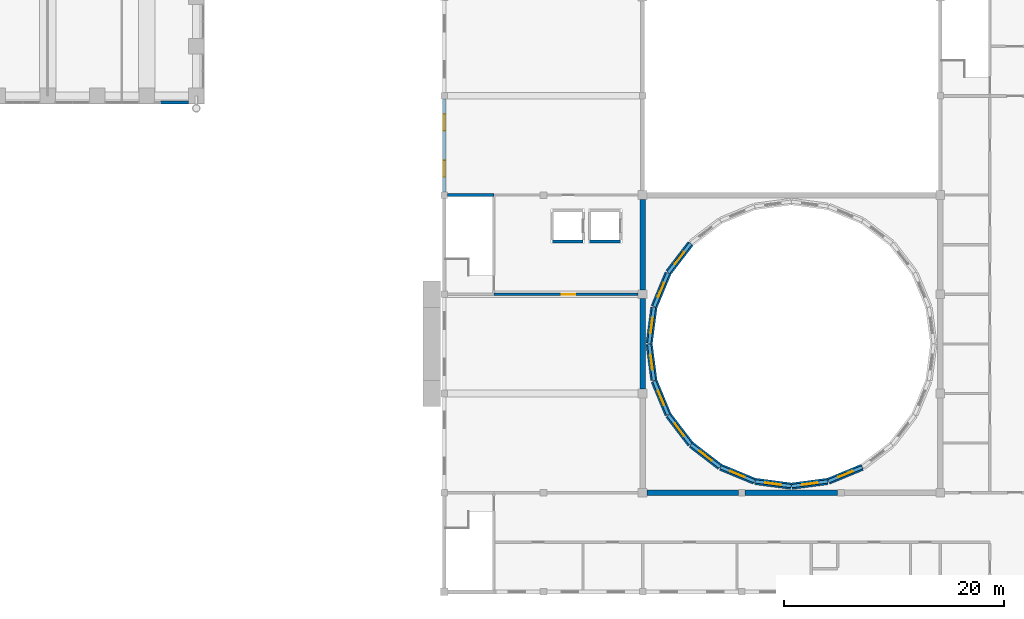
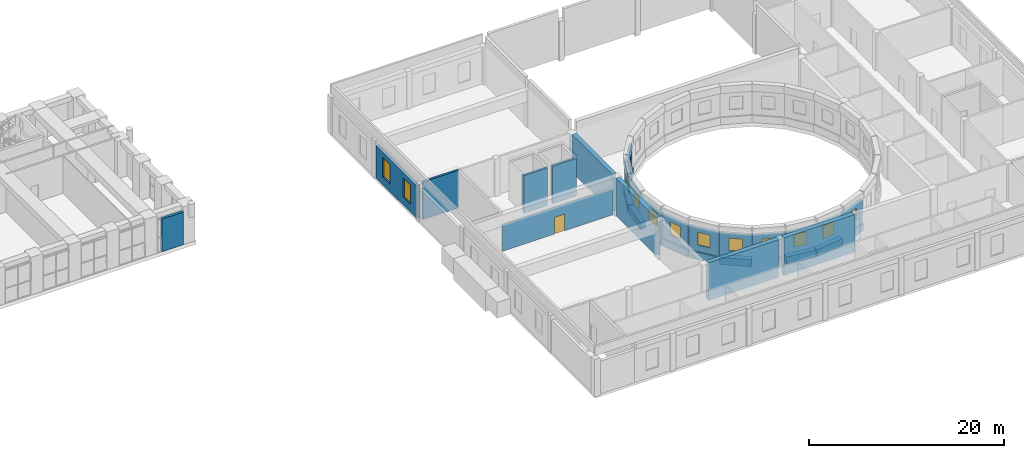
# One storey, part 22 of 35: 32 walls, 13 windows, 1 door, 14 openings.
"""IFC4 building model written with IfcOpenShell, lengths in metres."""

from ifc_helpers import new_model, si_unit, direction, frame, frame_2d, origin, place, context, subcontext, project, spatial, rectangle, extrude, material, layer, layer_set, type_object, element, fill, save


model = new_model("IFC4")

# Units and contexts
model_context = context("Model", 3, precision=1e-05, world=origin(), true_north=direction((0.0, 1.0)))
body_context = subcontext(model_context, "Body", "Model", "MODEL_VIEW")
ifc_project = project(units=[si_unit("LENGTHUNIT", "METRE"), si_unit("AREAUNIT", "SQUARE_METRE"), si_unit("VOLUMEUNIT", "CUBIC_METRE"), si_unit("PLANEANGLEUNIT", "RADIAN"), si_unit("MASSUNIT", "GRAM", prefix="KILO")], contexts=[model_context])

# Site, building, storey
site_placement = place(None, origin())
site = spatial("IfcSite", under=ifc_project, at=site_placement, CompositionType="ELEMENT")
building_placement = place(site_placement, origin())
building = spatial("IfcBuilding", under=site, at=building_placement, Name="Firuza Court", CompositionType="ELEMENT")
storey_placement = place(building_placement, frame((0.0, 0.0, 24.0)))
storey = spatial("IfcBuildingStorey", under=building, at=storey_placement, Name="L04", CompositionType="ELEMENT", Elevation=24.0)

# Wall, opening, window
ifc_material_1 = material(Name="Concrete C40/50", Category="concrete")
ifc_layer_1 = layer(ifc_material_1, 0.300048828125)
ifc_layer_set_1 = layer_set([ifc_layer_1], Name="Concrete C40/50")
wall_type_1 = type_object("IfcWallType", Name="HALL DRUM WALL 300", PredefinedType="STANDARD", material=ifc_layer_set_1)
wall_1_placement = place(storey_placement, frame((112.35888671875, 22.61328125, 1.39990234375), z_axis=(0.0, 0.0, 1.0), x_axis=(-0.608771579488, -0.793345551451, 0.0)))
wall_1 = element("IfcWall", 1, at=wall_1_placement, inside=storey, type_object=wall_type_1, Name="Drum wall 10", PredefinedType="STANDARD", context=body_context, shape_type="SweptSolid", body=[
    extrude(rectangle(XDim=3.33056640625, YDim=0.300048828125, at=frame_2d((1.665283203125, 0.0))), origin(), (0.0, 0.0, 1.0), 3.0),
])
opening_1_placement = place(wall_1_placement, frame((0.96533203125, 0.0, 0.800048828125)))
opening_1 = element("IfcOpeningElement", 2, at=opening_1_placement, cuts=wall_1, Name="Opening HW-4", PredefinedType="OPENING", context=body_context, shape_type="SweptSolid", body=[
    extrude(rectangle(XDim=1.39990234375, YDim=1.60009765625, at=frame_2d((0.699951171875, 0.800048828125))), frame((0.0, 0.162109375, 0.0), z_axis=(0.0, -1.0, 0.0), x_axis=(1.0, 0.0, 0.0)), (0.0, 0.0, 1.0), 0.323974609375),
])
ifc_material_2 = material(Name="Aluminium", Category="aluminium")
window_type_1 = type_object("IfcWindowType", Name="HALL WINDOW 1400X1600", PartitioningType="SINGLE_PANEL", PredefinedType="WINDOW", material=ifc_material_2)
window_1_placement = place(opening_1_placement, origin())
window_1 = element("IfcWindow", 3, at=window_1_placement, inside=storey, type_object=window_type_1, Name="Drum clerestory window 10", OverallHeight=1.60009765625, OverallWidth=1.39990234375, PartitioningType="SINGLE_PANEL", PredefinedType="WINDOW", context=body_context, shape_type="SweptSolid", body=[
    extrude(rectangle(XDim=1.39990234375, YDim=1.60009765625, at=frame_2d((0.699951171875, 0.800048828125))), frame((0.0, 0.030029296875, 0.0), z_axis=(0.0, -1.0, 0.0), x_axis=(1.0, 0.0, 0.0)), (0.0, 0.0, 1.0), 0.06005859375),
])
fill(opening_1, window_1)

wall_2_placement = place(storey_placement, frame((110.311767578125, 19.93701171875, 1.39990234375), z_axis=(0.0, 0.0, 1.0), x_axis=(-0.382673300321, -0.923883729276, 0.0)))
wall_2 = element("IfcWall", 4, at=wall_2_placement, inside=storey, type_object=wall_type_1, Name="Drum wall 11", PredefinedType="STANDARD", context=body_context, shape_type="SweptSolid", body=[
    extrude(rectangle(XDim=3.330810546875, YDim=0.300048828125, at=frame_2d((1.66552734375, 0.0))), origin(), (0.0, 0.0, 1.0), 3.0),
])
opening_2_placement = place(wall_2_placement, frame((0.96533203125, 0.0, 0.800048828125)))
opening_2 = element("IfcOpeningElement", 5, at=opening_2_placement, cuts=wall_2, Name="Opening HW-4", PredefinedType="OPENING", context=body_context, shape_type="SweptSolid", body=[
    extrude(rectangle(XDim=1.39990234375, YDim=1.60009765625, at=frame_2d((0.699951171875, 0.800048828125))), frame((0.0, 0.162109375, 0.0), z_axis=(0.0, -1.0, 0.0), x_axis=(1.0, 0.0, 0.0)), (0.0, 0.0, 1.0), 0.323974609375),
])
window_2_placement = place(opening_2_placement, origin())
window_2 = element("IfcWindow", 6, at=window_2_placement, inside=storey, type_object=window_type_1, Name="Drum clerestory window 11", OverallHeight=1.60009765625, OverallWidth=1.39990234375, PartitioningType="SINGLE_PANEL", PredefinedType="WINDOW", context=body_context, shape_type="SweptSolid", body=[
    extrude(rectangle(XDim=1.39990234375, YDim=1.60009765625, at=frame_2d((0.699951171875, 0.800048828125))), frame((0.0, 0.030029296875, 0.0), z_axis=(0.0, -1.0, 0.0), x_axis=(1.0, 0.0, 0.0)), (0.0, 0.0, 1.0), 0.06005859375),
])
fill(opening_2, window_2)

wall_3_placement = place(storey_placement, frame((109.02685546875, 16.82177734375, 1.39990234375), z_axis=(0.0, 0.0, 1.0), x_axis=(-0.130545524535, -0.991442316035, 0.0)))
wall_3 = element("IfcWall", 7, at=wall_3_placement, inside=storey, type_object=wall_type_1, Name="Drum wall 12", PredefinedType="STANDARD", context=body_context, shape_type="SweptSolid", body=[
    extrude(rectangle(XDim=3.330810546875, YDim=0.300048828125, at=frame_2d((1.66552734375, 0.0))), origin(), (0.0, 0.0, 1.0), 3.0),
])
opening_3_placement = place(wall_3_placement, frame((0.96533203125, 0.0, 0.800048828125)))
opening_3 = element("IfcOpeningElement", 8, at=opening_3_placement, cuts=wall_3, Name="Opening HW-4", PredefinedType="OPENING", context=body_context, shape_type="SweptSolid", body=[
    extrude(rectangle(XDim=1.39990234375, YDim=1.60009765625, at=frame_2d((0.699951171875, 0.800048828125))), frame((0.0, 0.162109375, 0.0), z_axis=(0.0, -1.0, 0.0), x_axis=(1.0, 0.0, 0.0)), (0.0, 0.0, 1.0), 0.323974609375),
])
window_3_placement = place(opening_3_placement, origin())
window_3 = element("IfcWindow", 9, at=window_3_placement, inside=storey, type_object=window_type_1, Name="Drum clerestory window 12", OverallHeight=1.60009765625, OverallWidth=1.39990234375, PartitioningType="SINGLE_PANEL", PredefinedType="WINDOW", context=body_context, shape_type="SweptSolid", body=[
    extrude(rectangle(XDim=1.39990234375, YDim=1.60009765625, at=frame_2d((0.699951171875, 0.800048828125))), frame((0.0, 0.030029296875, 0.0), z_axis=(0.0, -1.0, 0.0), x_axis=(1.0, 0.0, 0.0)), (0.0, 0.0, 1.0), 0.06005859375),
])
fill(opening_3, window_3)

wall_4_placement = place(storey_placement, frame((108.592041015625, 13.48046875, 1.39990234375), z_axis=(0.0, 0.0, 1.0), x_axis=(0.130545524535, -0.991442316035, 0.0)))
wall_4 = element("IfcWall", 10, at=wall_4_placement, inside=storey, type_object=wall_type_1, Name="Drum wall 13", PredefinedType="STANDARD", context=body_context, shape_type="SweptSolid", body=[
    extrude(rectangle(XDim=3.330810546875, YDim=0.300048828125, at=frame_2d((1.66552734375, 0.0))), origin(), (0.0, 0.0, 1.0), 3.0),
])
opening_4_placement = place(wall_4_placement, frame((0.96533203125, 0.0, 0.800048828125)))
opening_4 = element("IfcOpeningElement", 11, at=opening_4_placement, cuts=wall_4, Name="Opening HW-4", PredefinedType="OPENING", context=body_context, shape_type="SweptSolid", body=[
    extrude(rectangle(XDim=1.39990234375, YDim=1.60009765625, at=frame_2d((0.699951171875, 0.800048828125))), frame((0.0, 0.162109375, 0.0), z_axis=(0.0, -1.0, 0.0), x_axis=(1.0, 0.0, 0.0)), (0.0, 0.0, 1.0), 0.323974609375),
])
window_4_placement = place(opening_4_placement, origin())
window_4 = element("IfcWindow", 12, at=window_4_placement, inside=storey, type_object=window_type_1, Name="Drum clerestory window 13", OverallHeight=1.60009765625, OverallWidth=1.39990234375, PartitioningType="SINGLE_PANEL", PredefinedType="WINDOW", context=body_context, shape_type="SweptSolid", body=[
    extrude(rectangle(XDim=1.39990234375, YDim=1.60009765625, at=frame_2d((0.699951171875, 0.800048828125))), frame((0.0, 0.030029296875, 0.0), z_axis=(0.0, -1.0, 0.0), x_axis=(1.0, 0.0, 0.0)), (0.0, 0.0, 1.0), 0.06005859375),
])
fill(opening_4, window_4)

wall_5_placement = place(storey_placement, frame((109.037109375, 10.140380859375, 1.39990234375), z_axis=(0.0, 0.0, 1.0), x_axis=(0.382673300321, -0.923883729276, 0.0)))
wall_5 = element("IfcWall", 13, at=wall_5_placement, inside=storey, type_object=wall_type_1, Name="Drum wall 14", PredefinedType="STANDARD", context=body_context, shape_type="SweptSolid", body=[
    extrude(rectangle(XDim=3.330810546875, YDim=0.300048828125, at=frame_2d((1.66552734375, 0.0))), origin(), (0.0, 0.0, 1.0), 3.0),
])
opening_5_placement = place(wall_5_placement, frame((0.96533203125, 0.0, 0.800048828125)))
opening_5 = element("IfcOpeningElement", 14, at=opening_5_placement, cuts=wall_5, Name="Opening HW-4", PredefinedType="OPENING", context=body_context, shape_type="SweptSolid", body=[
    extrude(rectangle(XDim=1.39990234375, YDim=1.60009765625, at=frame_2d((0.699951171875, 0.800048828125))), frame((0.0, 0.162109375, 0.0), z_axis=(0.0, -1.0, 0.0), x_axis=(1.0, 0.0, 0.0)), (0.0, 0.0, 1.0), 0.323974609375),
])
window_5_placement = place(opening_5_placement, origin())
window_5 = element("IfcWindow", 15, at=window_5_placement, inside=storey, type_object=window_type_1, Name="Drum clerestory window 14", OverallHeight=1.60009765625, OverallWidth=1.39990234375, PartitioningType="SINGLE_PANEL", PredefinedType="WINDOW", context=body_context, shape_type="SweptSolid", body=[
    extrude(rectangle(XDim=1.39990234375, YDim=1.60009765625, at=frame_2d((0.699951171875, 0.800048828125))), frame((0.0, 0.030029296875, 0.0), z_axis=(0.0, -1.0, 0.0), x_axis=(1.0, 0.0, 0.0)), (0.0, 0.0, 1.0), 0.06005859375),
])
fill(opening_5, window_5)

wall_6_placement = place(storey_placement, frame((110.331298828125, 7.029052734375, 1.39990234375), z_axis=(0.0, 0.0, 1.0), x_axis=(0.608771579488, -0.793345551451, 0.0)))
wall_6 = element("IfcWall", 16, at=wall_6_placement, inside=storey, type_object=wall_type_1, Name="Drum wall 15", PredefinedType="STANDARD", context=body_context, shape_type="SweptSolid", body=[
    extrude(rectangle(XDim=3.33056640625, YDim=0.300048828125, at=frame_2d((1.665283203125, 0.0))), origin(), (0.0, 0.0, 1.0), 3.0),
])
opening_6_placement = place(wall_6_placement, frame((0.96533203125, 0.0, 0.800048828125)))
opening_6 = element("IfcOpeningElement", 17, at=opening_6_placement, cuts=wall_6, Name="Opening HW-4", PredefinedType="OPENING", context=body_context, shape_type="SweptSolid", body=[
    extrude(rectangle(XDim=1.39990234375, YDim=1.60009765625, at=frame_2d((0.699951171875, 0.800048828125))), frame((0.0, 0.162109375, 0.0), z_axis=(0.0, -1.0, 0.0), x_axis=(1.0, 0.0, 0.0)), (0.0, 0.0, 1.0), 0.323974609375),
])
window_6_placement = place(opening_6_placement, origin())
window_6 = element("IfcWindow", 18, at=window_6_placement, inside=storey, type_object=window_type_1, Name="Drum clerestory window 15", OverallHeight=1.60009765625, OverallWidth=1.39990234375, PartitioningType="SINGLE_PANEL", PredefinedType="WINDOW", context=body_context, shape_type="SweptSolid", body=[
    extrude(rectangle(XDim=1.39990234375, YDim=1.60009765625, at=frame_2d((0.699951171875, 0.800048828125))), frame((0.0, 0.030029296875, 0.0), z_axis=(0.0, -1.0, 0.0), x_axis=(1.0, 0.0, 0.0)), (0.0, 0.0, 1.0), 0.06005859375),
])
fill(opening_6, window_6)

wall_7_placement = place(storey_placement, frame((112.38671875, 4.35888671875, 1.39990234375), z_axis=(0.0, 0.0, 1.0), x_axis=(0.793345551451, -0.608771579488, 0.0)))
wall_7 = element("IfcWall", 19, at=wall_7_placement, inside=storey, type_object=wall_type_1, Name="Drum wall 16", PredefinedType="STANDARD", context=body_context, shape_type="SweptSolid", body=[
    extrude(rectangle(XDim=3.33056640625, YDim=0.300048828125, at=frame_2d((1.665283203125, 0.0))), origin(), (0.0, 0.0, 1.0), 3.0),
])
opening_7_placement = place(wall_7_placement, frame((0.96533203125, 0.0, 0.800048828125)))
opening_7 = element("IfcOpeningElement", 20, at=opening_7_placement, cuts=wall_7, Name="Opening HW-4", PredefinedType="OPENING", context=body_context, shape_type="SweptSolid", body=[
    extrude(rectangle(XDim=1.39990234375, YDim=1.60009765625, at=frame_2d((0.699951171875, 0.800048828125))), frame((0.0, 0.162109375, 0.0), z_axis=(0.0, -1.0, 0.0), x_axis=(1.0, 0.0, 0.0)), (0.0, 0.0, 1.0), 0.323974609375),
])
window_7_placement = place(opening_7_placement, origin())
window_7 = element("IfcWindow", 21, at=window_7_placement, inside=storey, type_object=window_type_1, Name="Drum clerestory window 16", OverallHeight=1.60009765625, OverallWidth=1.39990234375, PartitioningType="SINGLE_PANEL", PredefinedType="WINDOW", context=body_context, shape_type="SweptSolid", body=[
    extrude(rectangle(XDim=1.39990234375, YDim=1.60009765625, at=frame_2d((0.699951171875, 0.800048828125))), frame((0.0, 0.030029296875, 0.0), z_axis=(0.0, -1.0, 0.0), x_axis=(1.0, 0.0, 0.0)), (0.0, 0.0, 1.0), 0.06005859375),
])
fill(opening_7, window_7)

wall_8_placement = place(storey_placement, frame((115.06298828125, 2.311767578125, 1.39990234375), z_axis=(0.0, 0.0, 1.0), x_axis=(0.923883729276, -0.382673300321, 0.0)))
wall_8 = element("IfcWall", 22, at=wall_8_placement, inside=storey, type_object=wall_type_1, Name="Drum wall 17", PredefinedType="STANDARD", context=body_context, shape_type="SweptSolid", body=[
    extrude(rectangle(XDim=3.330810546875, YDim=0.300048828125, at=frame_2d((1.66552734375, 0.0))), origin(), (0.0, 0.0, 1.0), 3.0),
])
opening_8_placement = place(wall_8_placement, frame((0.96533203125, 0.0, 0.800048828125)))
opening_8 = element("IfcOpeningElement", 23, at=opening_8_placement, cuts=wall_8, Name="Opening HW-4", PredefinedType="OPENING", context=body_context, shape_type="SweptSolid", body=[
    extrude(rectangle(XDim=1.39990234375, YDim=1.60009765625, at=frame_2d((0.699951171875, 0.800048828125))), frame((0.0, 0.162109375, 0.0), z_axis=(0.0, -1.0, 0.0), x_axis=(1.0, 0.0, 0.0)), (0.0, 0.0, 1.0), 0.323974609375),
])
window_8_placement = place(opening_8_placement, origin())
window_8 = element("IfcWindow", 24, at=window_8_placement, inside=storey, type_object=window_type_1, Name="Drum clerestory window 17", OverallHeight=1.60009765625, OverallWidth=1.39990234375, PartitioningType="SINGLE_PANEL", PredefinedType="WINDOW", context=body_context, shape_type="SweptSolid", body=[
    extrude(rectangle(XDim=1.39990234375, YDim=1.60009765625, at=frame_2d((0.699951171875, 0.800048828125))), frame((0.0, 0.030029296875, 0.0), z_axis=(0.0, -1.0, 0.0), x_axis=(1.0, 0.0, 0.0)), (0.0, 0.0, 1.0), 0.06005859375),
])
fill(opening_8, window_8)

wall_9_placement = place(storey_placement, frame((118.17822265625, 1.02685546875, 1.39990234375), z_axis=(0.0, 0.0, 1.0), x_axis=(0.991442316035, -0.130545524535, 0.0)))
wall_9 = element("IfcWall", 25, at=wall_9_placement, inside=storey, type_object=wall_type_1, Name="Drum wall 18", PredefinedType="STANDARD", context=body_context, shape_type="SweptSolid", body=[
    extrude(rectangle(XDim=3.330810546875, YDim=0.300048828125, at=frame_2d((1.66552734375, 0.0))), origin(), (0.0, 0.0, 1.0), 3.0),
])
opening_9_placement = place(wall_9_placement, frame((0.96533203125, 0.0, 0.800048828125)))
opening_9 = element("IfcOpeningElement", 26, at=opening_9_placement, cuts=wall_9, Name="Opening HW-4", PredefinedType="OPENING", context=body_context, shape_type="SweptSolid", body=[
    extrude(rectangle(XDim=1.39990234375, YDim=1.60009765625, at=frame_2d((0.699951171875, 0.800048828125))), frame((0.0, 0.162109375, 0.0), z_axis=(0.0, -1.0, 0.0), x_axis=(1.0, 0.0, 0.0)), (0.0, 0.0, 1.0), 0.323974609375),
])
window_9_placement = place(opening_9_placement, origin())
window_9 = element("IfcWindow", 27, at=window_9_placement, inside=storey, type_object=window_type_1, Name="Drum clerestory window 18", OverallHeight=1.60009765625, OverallWidth=1.39990234375, PartitioningType="SINGLE_PANEL", PredefinedType="WINDOW", context=body_context, shape_type="SweptSolid", body=[
    extrude(rectangle(XDim=1.39990234375, YDim=1.60009765625, at=frame_2d((0.699951171875, 0.800048828125))), frame((0.0, 0.030029296875, 0.0), z_axis=(0.0, -1.0, 0.0), x_axis=(1.0, 0.0, 0.0)), (0.0, 0.0, 1.0), 0.06005859375),
])
fill(opening_9, window_9)

wall_10_placement = place(storey_placement, frame((121.51953125, 0.592041015625, 1.39990234375), z_axis=(0.0, 0.0, 1.0), x_axis=(0.991442316035, 0.130545524535, 0.0)))
wall_10 = element("IfcWall", 28, at=wall_10_placement, inside=storey, type_object=wall_type_1, Name="Drum wall 19", PredefinedType="STANDARD", context=body_context, shape_type="SweptSolid", body=[
    extrude(rectangle(XDim=3.330810546875, YDim=0.300048828125, at=frame_2d((1.66552734375, 0.0))), origin(), (0.0, 0.0, 1.0), 3.0),
])
opening_10_placement = place(wall_10_placement, frame((0.96533203125, 0.0, 0.800048828125)))
opening_10 = element("IfcOpeningElement", 29, at=opening_10_placement, cuts=wall_10, Name="Opening HW-4", PredefinedType="OPENING", context=body_context, shape_type="SweptSolid", body=[
    extrude(rectangle(XDim=1.39990234375, YDim=1.60009765625, at=frame_2d((0.699951171875, 0.800048828125))), frame((0.0, 0.162109375, 0.0), z_axis=(0.0, -1.0, 0.0), x_axis=(1.0, 0.0, 0.0)), (0.0, 0.0, 1.0), 0.323974609375),
])
window_10_placement = place(opening_10_placement, origin())
window_10 = element("IfcWindow", 30, at=window_10_placement, inside=storey, type_object=window_type_1, Name="Drum clerestory window 19", OverallHeight=1.60009765625, OverallWidth=1.39990234375, PartitioningType="SINGLE_PANEL", PredefinedType="WINDOW", context=body_context, shape_type="SweptSolid", body=[
    extrude(rectangle(XDim=1.39990234375, YDim=1.60009765625, at=frame_2d((0.699951171875, 0.800048828125))), frame((0.0, 0.030029296875, 0.0), z_axis=(0.0, -1.0, 0.0), x_axis=(1.0, 0.0, 0.0)), (0.0, 0.0, 1.0), 0.06005859375),
])
fill(opening_10, window_10)

wall_11_placement = place(storey_placement, frame((124.859619140625, 1.037109375, 1.39990234375), z_axis=(0.0, 0.0, 1.0), x_axis=(0.923883729276, 0.382673300321, 0.0)))
wall_11 = element("IfcWall", 31, at=wall_11_placement, inside=storey, type_object=wall_type_1, Name="Drum wall 20", PredefinedType="STANDARD", context=body_context, shape_type="SweptSolid", body=[
    extrude(rectangle(XDim=3.330810546875, YDim=0.300048828125, at=frame_2d((1.66552734375, 0.0))), origin(), (0.0, 0.0, 1.0), 3.0),
])
opening_11_placement = place(wall_11_placement, frame((0.96533203125, 0.0, 0.800048828125)))
opening_11 = element("IfcOpeningElement", 32, at=opening_11_placement, cuts=wall_11, Name="Opening HW-4", PredefinedType="OPENING", context=body_context, shape_type="SweptSolid", body=[
    extrude(rectangle(XDim=1.39990234375, YDim=1.60009765625, at=frame_2d((0.699951171875, 0.800048828125))), frame((0.0, 0.162109375, 0.0), z_axis=(0.0, -1.0, 0.0), x_axis=(1.0, 0.0, 0.0)), (0.0, 0.0, 1.0), 0.323974609375),
])
window_11_placement = place(opening_11_placement, origin())
window_11 = element("IfcWindow", 33, at=window_11_placement, inside=storey, type_object=window_type_1, Name="Drum clerestory window 20", OverallHeight=1.60009765625, OverallWidth=1.39990234375, PartitioningType="SINGLE_PANEL", PredefinedType="WINDOW", context=body_context, shape_type="SweptSolid", body=[
    extrude(rectangle(XDim=1.39990234375, YDim=1.60009765625, at=frame_2d((0.699951171875, 0.800048828125))), frame((0.0, 0.030029296875, 0.0), z_axis=(0.0, -1.0, 0.0), x_axis=(1.0, 0.0, 0.0)), (0.0, 0.0, 1.0), 0.06005859375),
])
fill(opening_11, window_11)

# Wall, opening, door
ifc_material_3 = material(Name="Blockwork", Category="masonry")
ifc_layer_2 = layer(ifc_material_3, 0.199951171875)
ifc_layer_set_2 = layer_set([ifc_layer_2], Name="Blockwork")
wall_type_2 = type_object("IfcWallType", Name="HALL PARTITION 200", PredefinedType="STANDARD", material=ifc_layer_set_2)
wall_12_placement = place(storey_placement, frame((94.5, 18.0, 0.0), z_axis=(0.0, 0.0, 1.0), x_axis=(1.0, 0.0, 0.0)))
wall_12 = element("IfcWall", 34, at=wall_12_placement, inside=storey, type_object=wall_type_2, Name="Wall L04.28", PredefinedType="STANDARD", context=body_context, shape_type="SweptSolid", body=[
    extrude(rectangle(XDim=13.10009765625, YDim=0.199951171875, at=frame_2d((6.550048828125, 0.0))), origin(), (0.0, 0.0, 1.0), 3.300048828125),
])
opening_12_placement = place(wall_12_placement, frame((6.169921875, 0.0, 0.0)))
opening_12 = element("IfcOpeningElement", 35, at=opening_12_placement, cuts=wall_12, Name="Opening H154", PredefinedType="OPENING", context=body_context, shape_type="SweptSolid", body=[
    extrude(rectangle(XDim=1.199951171875, YDim=2.10009765625, at=frame_2d((0.60009765625, 1.050048828125))), frame((0.0, 0.11181640625, 0.0), z_axis=(0.0, -1.0, 0.0), x_axis=(1.0, 0.0, 0.0)), (0.0, 0.0, 1.0), 0.223876953125),
])
ifc_material_4 = material(Name="Timber", Category="wood")
door_type = type_object("IfcDoorType", Name="HALL DOOR 1200X2100", OperationType="SINGLE_SWING_LEFT", PredefinedType="DOOR", material=ifc_material_4)
door_placement = place(opening_12_placement, frame((1.199951171875, 0.0, 0.0), z_axis=(0.0, 0.0, 1.0), x_axis=(-1.0, 0.0, 0.0)))
door = element("IfcDoor", 36, at=door_placement, inside=storey, type_object=door_type, Name="Door Administration offices to Office corridor", OperationType="SINGLE_SWING_LEFT", OverallHeight=2.10009765625, OverallWidth=1.199951171875, PredefinedType="DOOR", context=body_context, shape_type="SweptSolid", body=[
    extrude(rectangle(XDim=1.199951171875, YDim=2.10009765625, at=frame_2d((0.60009765625, 1.050048828125))), frame((0.0, 0.02490234375, 0.0), z_axis=(0.0, -1.0, 0.0), x_axis=(1.0, 0.0, 0.0)), (0.0, 0.0, 1.0), 0.050048828125),
])
fill(opening_12, door)

# Walls
ifc_layer_3 = layer(ifc_material_1, 0.25)
ifc_layer_set_3 = layer_set([ifc_layer_3], Name="Concrete C40/50")
wall_type_3 = type_object("IfcWallType", Name="HALL RC WALL 250", PredefinedType="STANDARD", material=ifc_layer_set_3)
for number, where, z_axis, x_axis, name in (
    (37, (99.800048828125, 22.800048828125, 0.0), (0.0, 0.0, 1.0), (1.0, 0.0, 0.0), "Wall L04.31"),
    (38, (103.199951171875, 22.800048828125, 0.0), (0.0, 0.0, 1.0), (1.0, 0.0, 0.0), "Wall L04.32"),
):
    element("IfcWall", number, at=place(storey_placement, frame(where, z_axis=z_axis, x_axis=x_axis)), inside=storey, type_object=wall_type_3, Name=name, PredefinedType="STANDARD", context=body_context, shape_type="SweptSolid", body=[
        extrude(rectangle(XDim=2.800048828125, YDim=0.25, at=frame_2d((1.39990234375, 0.0))), origin(), (0.0, 0.0, 1.0), 4.699951171875),
    ])
wall_13_placement = place(storey_placement, frame((90.300048828125, 27.0, 0.0), z_axis=(0.0, 0.0, 1.0), x_axis=(1.0, 0.0, 0.0)))
element("IfcWall", 39, at=wall_13_placement, inside=storey, type_object=wall_type_3, Name="Wall L04.35", PredefinedType="STANDARD", context=body_context, shape_type="SweptSolid", body=[
    extrude(rectangle(XDim=4.199951171875, YDim=0.25, at=frame_2d((2.10009765625, 0.0))), origin(), (0.0, 0.0, 1.0), 4.699951171875),
])
ifc_layer_4 = layer(ifc_material_1, 0.5)
ifc_layer_set_4 = layer_set([ifc_layer_4], Name="Concrete C40/50")
wall_type_4 = type_object("IfcWallType", Name="HALL RC WALL 500", PredefinedType="STANDARD", material=ifc_layer_set_4)
wall_14_placement = place(storey_placement, frame((108.39990234375, 0.0, 0.0), z_axis=(0.0, 0.0, 1.0), x_axis=(1.0, 0.0, 0.0)))
element("IfcWall", 40, at=wall_14_placement, inside=storey, type_object=wall_type_4, Name="Wall L04.15", PredefinedType="STANDARD", context=body_context, shape_type="SweptSolid", body=[
    extrude(rectangle(XDim=8.300048828125, YDim=0.5, at=frame_2d((4.14990234375, 0.0))), origin(), (0.0, 0.0, 1.0), 4.699951171875),
])
wall_15_placement = place(storey_placement, frame((117.300048828125, 0.0, 0.0), z_axis=(0.0, 0.0, 1.0), x_axis=(1.0, 0.0, 0.0)))
element("IfcWall", 41, at=wall_15_placement, inside=storey, type_object=wall_type_4, Name="Wall L04.16", PredefinedType="STANDARD", context=body_context, shape_type="SweptSolid", body=[
    extrude(rectangle(XDim=8.39990234375, YDim=0.5, at=frame_2d((4.199951171875, 0.0))), origin(), (0.0, 0.0, 1.0), 4.699951171875),
])
for number, where, z_axis, x_axis, name in (
    (42, (108.0, 9.39990234375, 0.0), (0.0, 0.0, 1.0), (0.0, 1.0, 0.0), "Wall L04.67"),
    (43, (108.0, 18.39990234375, 0.0), (0.0, 0.0, 1.0), (0.0, 1.0, 0.0), "Wall L04.68"),
):
    element("IfcWall", number, at=place(storey_placement, frame(where, z_axis=z_axis, x_axis=x_axis)), inside=storey, type_object=wall_type_4, Name=name, PredefinedType="STANDARD", context=body_context, shape_type="SweptSolid", body=[
        extrude(rectangle(XDim=8.2001953125, YDim=0.5, at=frame_2d((4.10009765625, 0.0))), origin(), (0.0, 0.0, 1.0), 4.699951171875),
    ])
ifc_layer_5 = layer(ifc_material_1, 0.60009765625)
ifc_layer_set_5 = layer_set([ifc_layer_5], Name="Concrete C40/50")
wall_type_5 = type_object("IfcWallType", Name="HALL RING WALL 600", PredefinedType="STANDARD", material=ifc_layer_set_5)
for number, where, z_axis, x_axis, name in (
    (44, (112.346923828125, 22.59765625, 0.5), (0.0, 0.0, 1.0), (-0.608781872031, -0.79333765339, 0.0), "Drum base ring wall 10"),
    (45, (110.30419921875, 19.918701171875, 0.5), (0.0, 0.0, 1.0), (-0.382681538037, -0.923880317165, 0.0), "Drum base ring wall 11"),
    (46, (109.0244140625, 16.80224609375, 0.5), (0.0, 0.0, 1.0), (-0.130550451475, -0.99144166728, 0.0), "Drum base ring wall 12"),
    (47, (108.5947265625, 13.4609375, 0.5), (0.0, 0.0, 1.0), (0.130550451475, -0.99144166728, 0.0), "Drum base ring wall 13"),
    (48, (109.044677734375, 10.1220703125, 0.5), (0.0, 0.0, 1.0), (0.382681538037, -0.923880317165, 0.0), "Drum base ring wall 14"),
    (49, (110.34326171875, 7.013427734375, 0.5), (0.0, 0.0, 1.0), (0.608781872031, -0.79333765339, 0.0), "Drum base ring wall 15"),
    (50, (112.40234375, 4.346923828125, 0.5), (0.0, 0.0, 1.0), (0.79333765339, -0.608781872031, 0.0), "Drum base ring wall 16"),
    (51, (115.081298828125, 2.30419921875, 0.5), (0.0, 0.0, 1.0), (0.923880317165, -0.382681538037, 0.0), "Drum base ring wall 17"),
    (52, (118.19775390625, 1.0244140625, 0.5), (0.0, 0.0, 1.0), (0.99144166728, -0.130550451475, 0.0), "Drum base ring wall 18"),
    (53, (121.5390625, 0.5947265625, 0.5), (0.0, 0.0, 1.0), (0.99144166728, 0.130550451475, 0.0), "Drum base ring wall 19"),
    (54, (124.8779296875, 1.044677734375, 0.5), (0.0, 0.0, 1.0), (0.923880317165, 0.382681538037, 0.0), "Drum base ring wall 20"),
):
    element("IfcWall", number, at=place(storey_placement, frame(where, z_axis=z_axis, x_axis=x_axis)), inside=storey, type_object=wall_type_5, Name=name, PredefinedType="STANDARD", context=body_context, shape_type="SweptSolid", body=[
        extrude(rectangle(XDim=3.291259765625, YDim=0.60009765625, at=frame_2d((1.6455078125, 0.0))), origin(), (0.0, 0.0, 1.0), 0.89990234375),
    ])

# Wall, openings, windows
ifc_material_5 = material(Name="Concrete C30/37", Category="concrete")
ifc_layer_6 = layer(ifc_material_5, 0.300048828125)
ifc_material_6 = material(Name="Ceramic tile", Category="ceramic")
ifc_layer_7 = layer(ifc_material_6, 0.050048828125)
ifc_layer_set_6 = layer_set([ifc_layer_6, ifc_layer_7], Name="Concrete C30/37")
wall_type_6 = type_object("IfcWallType", Name="HALL TILE CLAD WALL 350", PredefinedType="STANDARD", material=ifc_layer_set_6)
wall_16_placement = place(storey_placement, frame((90.0, 27.300048828125, 0.0), z_axis=(0.0, 0.0, 1.0), x_axis=(0.0, 1.0, 0.0)))
wall_16 = element("IfcWall", 55, at=wall_16_placement, inside=storey, type_object=wall_type_6, Name="Wall L04.56", PredefinedType="STANDARD", context=body_context, shape_type="SweptSolid", body=[
    extrude(rectangle(XDim=8.39990234375, YDim=0.35009765625, at=frame_2d((4.199951171875, 0.0))), origin(), (0.0, 0.0, 1.0), 4.10009765625),
])
opening_13_placement = place(wall_16_placement, frame((1.35009765625, 0.0, 1.0)))
opening_13 = element("IfcOpeningElement", 56, at=opening_13_placement, cuts=wall_16, Name="Opening HW-1", PredefinedType="OPENING", context=body_context, shape_type="SweptSolid", body=[
    extrude(rectangle(XDim=1.5, YDim=2.39990234375, at=frame_2d((0.75, 1.199951171875))), frame((0.0, 0.18701171875, 0.0), z_axis=(0.0, -1.0, 0.0), x_axis=(1.0, 0.0, 0.0)), (0.0, 0.0, 1.0), 0.3740234375),
])
opening_14_placement = place(wall_16_placement, frame((5.550048828125, 0.0, 1.0)))
opening_14 = element("IfcOpeningElement", 57, at=opening_14_placement, cuts=wall_16, Name="Opening HW-1", PredefinedType="OPENING", context=body_context, shape_type="SweptSolid", body=[
    extrude(rectangle(XDim=1.5, YDim=2.39990234375, at=frame_2d((0.75, 1.199951171875))), frame((0.0, 0.18701171875, 0.0), z_axis=(0.0, -1.0, 0.0), x_axis=(1.0, 0.0, 0.0)), (0.0, 0.0, 1.0), 0.3740234375),
])
ifc_material_7 = material(Name="Aluminium", Category="aluminium")
window_type_2 = type_object("IfcWindowType", Name="HALL WINDOW 1500X2400", PartitioningType="SINGLE_PANEL", PredefinedType="WINDOW", material=ifc_material_7)
window_12_placement = place(opening_13_placement, origin())
window_12 = element("IfcWindow", 58, at=window_12_placement, inside=storey, type_object=window_type_2, Name="Window L04.126", OverallHeight=2.39990234375, OverallWidth=1.5, PartitioningType="SINGLE_PANEL", PredefinedType="WINDOW", context=body_context, shape_type="SweptSolid", body=[
    extrude(rectangle(XDim=1.5, YDim=2.39990234375, at=frame_2d((0.75, 1.199951171875))), frame((0.0, 0.030029296875, 0.0), z_axis=(0.0, -1.0, 0.0), x_axis=(1.0, 0.0, 0.0)), (0.0, 0.0, 1.0), 0.06005859375),
])
fill(opening_13, window_12)
window_13_placement = place(opening_14_placement, origin())
window_13 = element("IfcWindow", 59, at=window_13_placement, inside=storey, type_object=window_type_2, Name="Window L04.127", OverallHeight=2.39990234375, OverallWidth=1.5, PartitioningType="SINGLE_PANEL", PredefinedType="WINDOW", context=body_context, shape_type="SweptSolid", body=[
    extrude(rectangle(XDim=1.5, YDim=2.39990234375, at=frame_2d((0.75, 1.199951171875))), frame((0.0, 0.030029296875, 0.0), z_axis=(0.0, -1.0, 0.0), x_axis=(1.0, 0.0, 0.0)), (0.0, 0.0, 1.0), 0.06005859375),
])
fill(opening_14, window_13)

# Wall
ifc_layer_8 = layer(ifc_material_6, 0.02001953125)
ifc_material_8 = material(Name="Mineral wool insulation", Category="insulation")
ifc_layer_9 = layer(ifc_material_8, 0.1298828125)
ifc_material_9 = material(Name="Concrete C40/50 precast", Category="concrete")
ifc_layer_10 = layer(ifc_material_9, 0.14990234375)
ifc_layer_set_7 = layer_set([ifc_layer_8, ifc_layer_9, ifc_layer_10], Name="Concrete C40/50 precast")
wall_type_7 = type_object("IfcWallType", Name="Precast spandrel wall with turquoise TILE PANEL face 300", PredefinedType="STANDARD", material=ifc_layer_set_7)
wall_17_placement = place(storey_placement, frame((64.2568359375, 35.39990234375, 0.0), z_axis=(0.0, 0.0, 1.0), x_axis=(1.0, 0.0, 0.0)))
element("IfcWall", 60, at=wall_17_placement, inside=storey, type_object=wall_type_7, Name="Facade wall L04 S", PredefinedType="STANDARD", context=body_context, shape_type="SweptSolid", body=[
    extrude(rectangle(XDim=2.543212890625, YDim=0.300048828125, at=frame_2d((1.271484375, 0.0))), origin(), (0.0, 0.0, 1.0), 4.10009765625),
])

save(model, "model.ifc")
